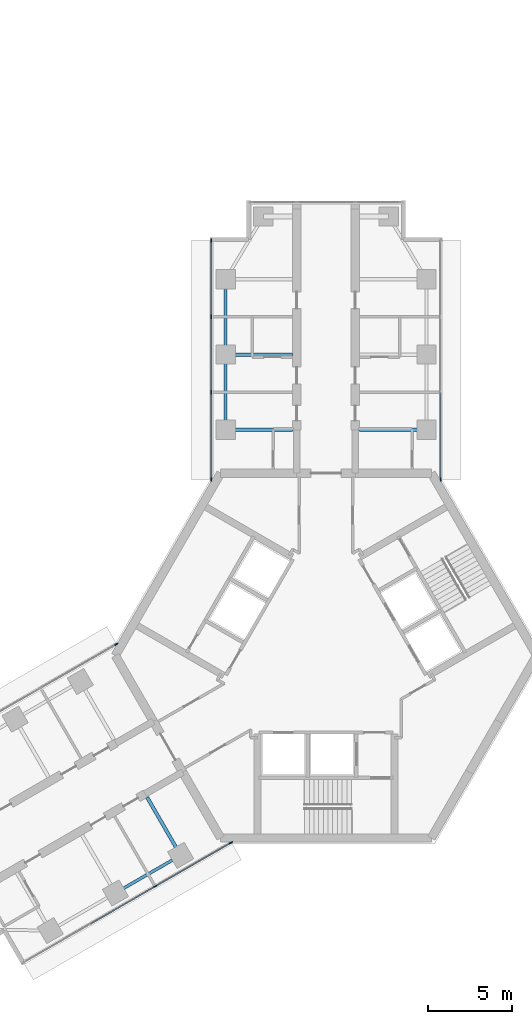
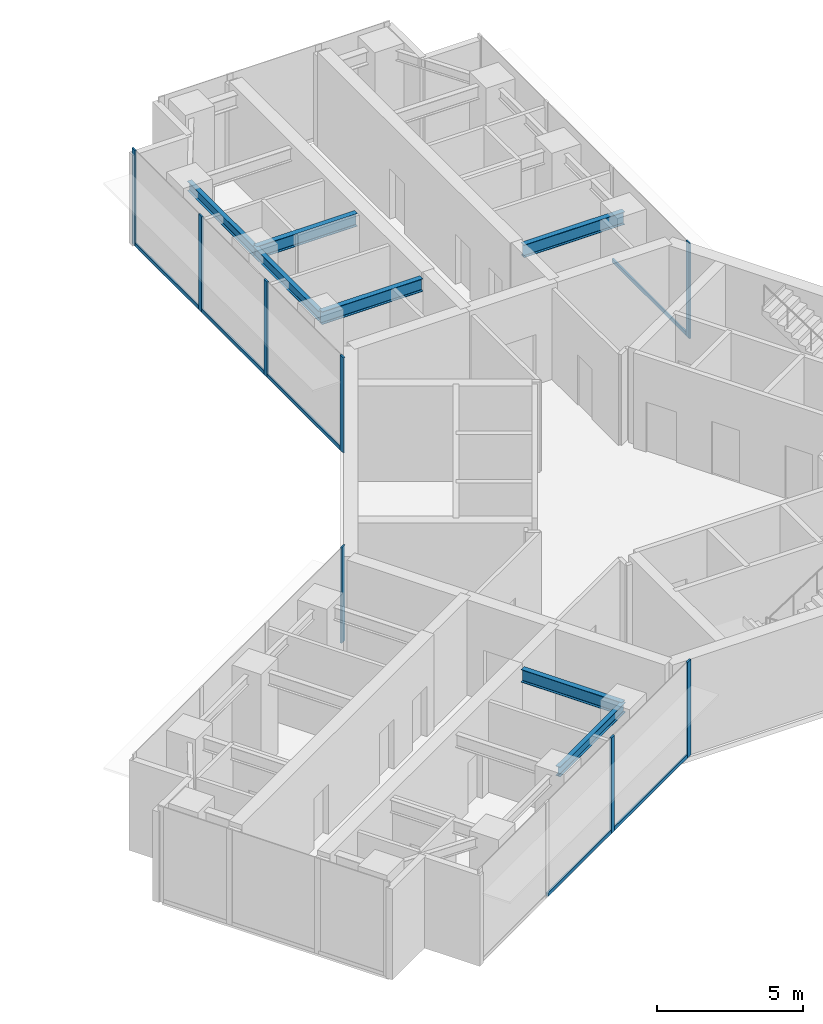
# One storey, part 8 of 17: 14 members, 7 beams, 4 elements without a shape of their own.
"""IFC4 building model written with IfcOpenShell, lengths in metres."""

from ifc_helpers import new_model, si_unit, direction, frame, origin, origin_2d, place, context, subcontext, project, spatial, rectangle, i_section, extrude, material, material_profile, profile_set, type_object, element, aggregate, save


model = new_model("IFC4")

# Units and contexts
model_context = context("Model", 3, precision=1e-05, world=origin(), true_north=direction((0.0, 1.0)))
body_context = subcontext(model_context, "Body", "Model", "MODEL_VIEW")
ifc_project = project(units=[si_unit("LENGTHUNIT", "METRE"), si_unit("AREAUNIT", "SQUARE_METRE"), si_unit("VOLUMEUNIT", "CUBIC_METRE"), si_unit("PLANEANGLEUNIT", "RADIAN"), si_unit("MASSUNIT", "GRAM", prefix="KILO")], contexts=[model_context])

# Site, building, storey
site_placement = place(None, origin())
site = spatial("IfcSite", under=ifc_project, at=site_placement, CompositionType="ELEMENT")
building_placement = place(site_placement, origin())
building = spatial("IfcBuilding", under=site, at=building_placement, Name="Upepo Twin Towers", CompositionType="ELEMENT")
storey_placement = place(building_placement, frame((0.0, 0.0, 202.5)))
storey = spatial("IfcBuildingStorey", under=building, at=storey_placement, Name="L49", CompositionType="ELEMENT", Elevation=202.5)

# Beams
ifc_material_1 = material(Name="Steel S355", Category="steel")
ifc_material_profile_1 = material_profile(ifc_material_1, i_section(OverallWidth=0.177978515625, OverallDepth=0.406494140625, WebThickness=0.0078125, FlangeThickness=0.0126953125, FilletRadius=0.01025390625, at=origin_2d()), Name="UB 406x178x60")
ifc_profile_set_1 = profile_set([ifc_material_profile_1], Name="Steel S355")
beam_type_1 = type_object("IfcBeamType", Name="Beam UB 406x178x60", PredefinedType="BEAM", material=ifc_profile_set_1)
for number, where, z_axis, x_axis, name in (
    (1, (52.5, -4.5, 3.5966796875), (0.0, 1.0, 0.0), (-1.0, 0.0, 0.0), "T2 edge beam AL 13.5-18.0"),
    (2, (52.5, 0.0, 3.5966796875), (0.0, 1.0, 0.0), (-1.0, 0.0, 0.0), "T2 edge beam AL 18.0-22.5"),
):
    element("IfcBeam", number, at=place(storey_placement, frame(where, z_axis=z_axis, x_axis=x_axis)), inside=storey, type_object=beam_type_1, Name=name, PredefinedType="BEAM", context=body_context, shape_type="SweptSolid", body=[
        extrude(i_section(OverallWidth=0.177978515625, OverallDepth=0.406494140625, WebThickness=0.0078125, FlangeThickness=0.0126953125, FilletRadius=0.01025390625, at=origin_2d()), origin(), (0.0, 0.0, 1.0), 4.5),
    ])
beam_placement = place(storey_placement, frame((49.80859375, -29.946044921875, 3.5966796875), z_axis=(-0.866017533419, -0.500013631625, 0.0), x_axis=(0.500013631625, -0.866017533419, 0.0)))
element("IfcBeam", 3, at=beam_placement, inside=storey, type_object=beam_type_1, Name="T2 edge beam BL 13.5-18.0", PredefinedType="BEAM", context=body_context, shape_type="SweptSolid", body=[
    extrude(i_section(OverallWidth=0.177978515625, OverallDepth=0.406494140625, WebThickness=0.0078125, FlangeThickness=0.0126953125, FilletRadius=0.01025390625, at=origin_2d()), origin(), (0.0, 0.0, 1.0), 4.499755859375),
])
ifc_material_2 = material(Name="Steel S355", Category="steel")
ifc_material_profile_2 = material_profile(ifc_material_2, i_section(OverallWidth=0.209228515625, OverallDepth=0.533203125, WebThickness=0.010009765625, FlangeThickness=0.015625, FilletRadius=0.0126953125, at=origin_2d()), Name="UB 533x210x92")
ifc_profile_set_2 = profile_set([ifc_material_profile_2], Name="Steel S355")
beam_type_2 = type_object("IfcBeamType", Name="Beam UB 533x210x92", PredefinedType="BEAM", material=ifc_profile_set_2)
for number, where, z_axis, x_axis, name in (
    (4, (52.5, -4.5, 3.533447265625), (1.0, 0.0, 0.0), (0.0, 1.0, 0.0), "T2 girder AL at 13.5"),
    (5, (52.5, 0.0, 3.533447265625), (1.0, 0.0, 0.0), (0.0, 1.0, 0.0), "T2 girder AL at 18.0"),
    (6, (64.5, -4.5, 3.533447265625), (-1.0, 0.0, 0.0), (0.0, -1.0, 0.0), "T2 girder AR at 13.5"),
    (7, (49.80859375, -29.946044921875, 3.533447265625), (-0.49999894854, 0.866026010844, 0.0), (-0.866026010844, -0.49999894854, 0.0), "T2 girder BL at 13.5"),
):
    element("IfcBeam", number, at=place(storey_placement, frame(where, z_axis=z_axis, x_axis=x_axis)), inside=storey, type_object=beam_type_2, Name=name, PredefinedType="BEAM", context=body_context, shape_type="SweptSolid", body=[
        extrude(i_section(OverallWidth=0.209228515625, OverallDepth=0.533203125, WebThickness=0.010009765625, FlangeThickness=0.015625, FilletRadius=0.0126953125, at=origin_2d()), origin(), (0.0, 0.0, 1.0), 4.0),
    ])

# Curtain wall, members
ifc_material_3 = material(Name="Aluminium and fritted glass", Category="aluminium")
curtain_wall_type = type_object("IfcCurtainWallType", Name="Tower curtain wall TW3, fritted glass", PredefinedType="NOTDEFINED", material=ifc_material_3)
curtain_wall_1_placement = place(storey_placement, origin())
curtain_wall_1 = element("IfcCurtainWall", 8, at=curtain_wall_1_placement, inside=storey, type_object=curtain_wall_type, Name="T2 L49 wing A flank L curtain wall", PredefinedType="NOTDEFINED")
ifc_material_4 = material(Name="Aluminium mullion", Category="aluminium")
ifc_material_profile_3 = material_profile(ifc_material_4, rectangle(XDim=0.06494140625, YDim=0.22509765625, at=origin_2d()), Name="MULLION 65x225")
ifc_profile_set_3 = profile_set([ifc_material_profile_3], Name="Aluminium mullion")
member_type_1 = type_object("IfcMemberType", Name="Mullion 65x225 TW3", PredefinedType="MULLION", material=ifc_profile_set_3)
member_1_placement = place(storey_placement, frame((51.64990234375, -7.48046875, 0.0), z_axis=(0.0, 0.0, 1.0), x_axis=(-1.0, 0.0, 0.0)))
member_1 = element("IfcMember", 9, at=member_1_placement, type_object=member_type_1, Name="T2 L49 wing A flank L curtain wall mullion 1", PredefinedType="MULLION", context=body_context, shape_type="SweptSolid", body=[
    extrude(rectangle(XDim=0.06494140625, YDim=0.22509765625, at=origin_2d()), origin(), (0.0, 0.0, 1.0), 4.0),
])
member_2_placement = place(storey_placement, frame((51.64990234375, -2.25, 0.0), z_axis=(0.0, 0.0, 1.0), x_axis=(-1.0, 0.0, 0.0)))
member_2 = element("IfcMember", 10, at=member_2_placement, type_object=member_type_1, Name="T2 L49 wing A flank L curtain wall mullion 2", PredefinedType="MULLION", context=body_context, shape_type="SweptSolid", body=[
    extrude(rectangle(XDim=0.06494140625, YDim=0.22509765625, at=origin_2d()), origin(), (0.0, 0.0, 1.0), 4.0),
])
member_3_placement = place(storey_placement, frame((51.64990234375, 2.25, 0.0), z_axis=(0.0, 0.0, 1.0), x_axis=(-1.0, 0.0, 0.0)))
member_3 = element("IfcMember", 11, at=member_3_placement, type_object=member_type_1, Name="T2 L49 wing A flank L curtain wall mullion 3", PredefinedType="MULLION", context=body_context, shape_type="SweptSolid", body=[
    extrude(rectangle(XDim=0.06494140625, YDim=0.22509765625, at=origin_2d()), origin(), (0.0, 0.0, 1.0), 4.0),
])
member_4_placement = place(storey_placement, frame((51.64990234375, 6.8173828125, 0.0), z_axis=(0.0, 0.0, 1.0), x_axis=(-1.0, 0.0, 0.0)))
member_4 = element("IfcMember", 12, at=member_4_placement, type_object=member_type_1, Name="T2 L49 wing A flank L curtain wall mullion 4", PredefinedType="MULLION", context=body_context, shape_type="SweptSolid", body=[
    extrude(rectangle(XDim=0.06494140625, YDim=0.22509765625, at=origin_2d()), origin(), (0.0, 0.0, 1.0), 4.0),
])

# Curtain wall, member
curtain_wall_2_placement = place(storey_placement, origin())
curtain_wall_2 = element("IfcCurtainWall", 13, at=curtain_wall_2_placement, inside=storey, type_object=curtain_wall_type, Name="T2 L49 wing A flank R curtain wall", PredefinedType="NOTDEFINED")
member_5_placement = place(storey_placement, frame((65.35009765625, -7.48046875, 0.0), z_axis=(0.0, 0.0, 1.0), x_axis=(1.0, 0.0, 0.0)))
member_5 = element("IfcMember", 14, at=member_5_placement, type_object=member_type_1, Name="T2 L49 wing A flank R curtain wall mullion 4", PredefinedType="MULLION", context=body_context, shape_type="SweptSolid", body=[
    extrude(rectangle(XDim=0.06494140625, YDim=0.22509765625, at=origin_2d()), origin(), (0.0, 0.0, 1.0), 4.0),
])

# Curtain wall, members
curtain_wall_3_placement = place(storey_placement, origin())
curtain_wall_3 = element("IfcCurtainWall", 15, at=curtain_wall_3_placement, inside=storey, type_object=curtain_wall_type, Name="T2 L49 wing B flank L curtain wall", PredefinedType="NOTDEFINED")
member_6_placement = place(storey_placement, frame((52.814697265625, -29.192138671875, 0.0), z_axis=(0.0, 0.0, 1.0), x_axis=(0.500000026527, -0.866025388469, 0.0)))
member_6 = element("IfcMember", 16, at=member_6_placement, type_object=member_type_1, Name="T2 L49 wing B flank L curtain wall mullion 1", PredefinedType="MULLION", context=body_context, shape_type="SweptSolid", body=[
    extrude(rectangle(XDim=0.06494140625, YDim=0.22509765625, at=origin_2d()), origin(), (0.0, 0.0, 1.0), 4.0),
])
member_7_placement = place(storey_placement, frame((48.28515625, -31.807373046875, 0.0), z_axis=(0.0, 0.0, 1.0), x_axis=(0.500000026527, -0.866025388469, 0.0)))
member_7 = element("IfcMember", 17, at=member_7_placement, type_object=member_type_1, Name="T2 L49 wing B flank L curtain wall mullion 2", PredefinedType="MULLION", context=body_context, shape_type="SweptSolid", body=[
    extrude(rectangle(XDim=0.06494140625, YDim=0.22509765625, at=origin_2d()), origin(), (0.0, 0.0, 1.0), 4.0),
])

# Curtain wall, member
curtain_wall_4_placement = place(storey_placement, origin())
curtain_wall_4 = element("IfcCurtainWall", 18, at=curtain_wall_4_placement, inside=storey, type_object=curtain_wall_type, Name="T2 L49 wing B flank R curtain wall", PredefinedType="NOTDEFINED")
member_8_placement = place(storey_placement, frame((45.96484375, -17.32763671875, 0.0), z_axis=(0.0, 0.0, 1.0), x_axis=(-0.500000026527, 0.866025388469, 0.0)))
member_8 = element("IfcMember", 19, at=member_8_placement, type_object=member_type_1, Name="T2 L49 wing B flank R curtain wall mullion 4", PredefinedType="MULLION", context=body_context, shape_type="SweptSolid", body=[
    extrude(rectangle(XDim=0.06494140625, YDim=0.22509765625, at=origin_2d()), origin(), (0.0, 0.0, 1.0), 4.0),
])
aggregate(curtain_wall_4, [member_8])

# Member
ifc_material_5 = material(Name="Aluminium transom", Category="aluminium")
ifc_material_profile_4 = material_profile(ifc_material_5, rectangle(XDim=0.06494140625, YDim=0.14990234375, at=origin_2d()), Name="TRANSOM 65x150")
ifc_profile_set_4 = profile_set([ifc_material_profile_4], Name="Aluminium transom")
member_type_2 = type_object("IfcMemberType", Name="Transom 65x150 TW3", PredefinedType="USERDEFINED", material=ifc_profile_set_4)
member_9_placement = place(storey_placement, frame((51.64990234375, -7.447998046875, 0.074951171875), z_axis=(0.0, 1.0, 0.0), x_axis=(-1.0, 0.0, 0.0)))
member_9 = element("IfcMember", 20, at=member_9_placement, type_object=member_type_2, Name="T2 L49 wing A flank L curtain wall transom 1", ObjectType="TRANSOM", PredefinedType="USERDEFINED", context=body_context, shape_type="SweptSolid", body=[
    extrude(rectangle(XDim=0.06494140625, YDim=0.14990234375, at=origin_2d()), origin(), (0.0, 0.0, 1.0), 5.16552734375),
])

member_10_placement = place(storey_placement, frame((51.64990234375, -2.217529296875, 0.074951171875), z_axis=(0.0, 1.0, 0.0), x_axis=(-1.0, 0.0, 0.0)))
member_10 = element("IfcMember", 21, at=member_10_placement, type_object=member_type_2, Name="T2 L49 wing A flank L curtain wall transom 2", ObjectType="TRANSOM", PredefinedType="USERDEFINED", context=body_context, shape_type="SweptSolid", body=[
    extrude(rectangle(XDim=0.06494140625, YDim=0.14990234375, at=origin_2d()), origin(), (0.0, 0.0, 1.0), 4.43505859375),
])

member_11_placement = place(storey_placement, frame((51.64990234375, 2.282470703125, 0.074951171875), z_axis=(0.0, 1.0, 0.0), x_axis=(-1.0, 0.0, 0.0)))
member_11 = element("IfcMember", 22, at=member_11_placement, type_object=member_type_2, Name="T2 L49 wing A flank L curtain wall transom 3", ObjectType="TRANSOM", PredefinedType="USERDEFINED", context=body_context, shape_type="SweptSolid", body=[
    extrude(rectangle(XDim=0.06494140625, YDim=0.14990234375, at=origin_2d()), origin(), (0.0, 0.0, 1.0), 4.50244140625),
])

aggregate(curtain_wall_1, [member_1, member_2, member_3, member_4, member_9, member_10, member_11])

member_12_placement = place(storey_placement, frame((65.35009765625, -2.282470703125, 0.074951171875), z_axis=(0.0, -1.0, 0.0), x_axis=(1.0, 0.0, 0.0)))
member_12 = element("IfcMember", 23, at=member_12_placement, type_object=member_type_2, Name="T2 L49 wing A flank R curtain wall transom 3", ObjectType="TRANSOM", PredefinedType="USERDEFINED", context=body_context, shape_type="SweptSolid", body=[
    extrude(rectangle(XDim=0.06494140625, YDim=0.14990234375, at=origin_2d()), origin(), (0.0, 0.0, 1.0), 5.16552734375),
])

aggregate(curtain_wall_2, [member_5, member_12])

member_13_placement = place(storey_placement, frame((52.78662109375, -29.208251953125, 0.074951171875), z_axis=(-0.86602108507, -0.500007480159, 0.0), x_axis=(0.500007480159, -0.86602108507, 0.0)))
member_13 = element("IfcMember", 24, at=member_13_placement, type_object=member_type_2, Name="T2 L49 wing B flank L curtain wall transom 1", ObjectType="TRANSOM", PredefinedType="USERDEFINED", context=body_context, shape_type="SweptSolid", body=[
    extrude(rectangle(XDim=0.06494140625, YDim=0.14990234375, at=origin_2d()), origin(), (0.0, 0.0, 1.0), 5.16552734375),
])

member_14_placement = place(storey_placement, frame((48.2568359375, -31.823486328125, 0.074951171875), z_axis=(-0.866022410713, -0.500005184116, 0.0), x_axis=(0.500005184116, -0.866022410713, 0.0)))
member_14 = element("IfcMember", 25, at=member_14_placement, type_object=member_type_2, Name="T2 L49 wing B flank L curtain wall transom 2", ObjectType="TRANSOM", PredefinedType="USERDEFINED", context=body_context, shape_type="SweptSolid", body=[
    extrude(rectangle(XDim=0.06494140625, YDim=0.14990234375, at=origin_2d()), origin(), (0.0, 0.0, 1.0), 4.43505859375),
])

aggregate(curtain_wall_3, [member_6, member_7, member_13, member_14])

save(model, "model.ifc")
